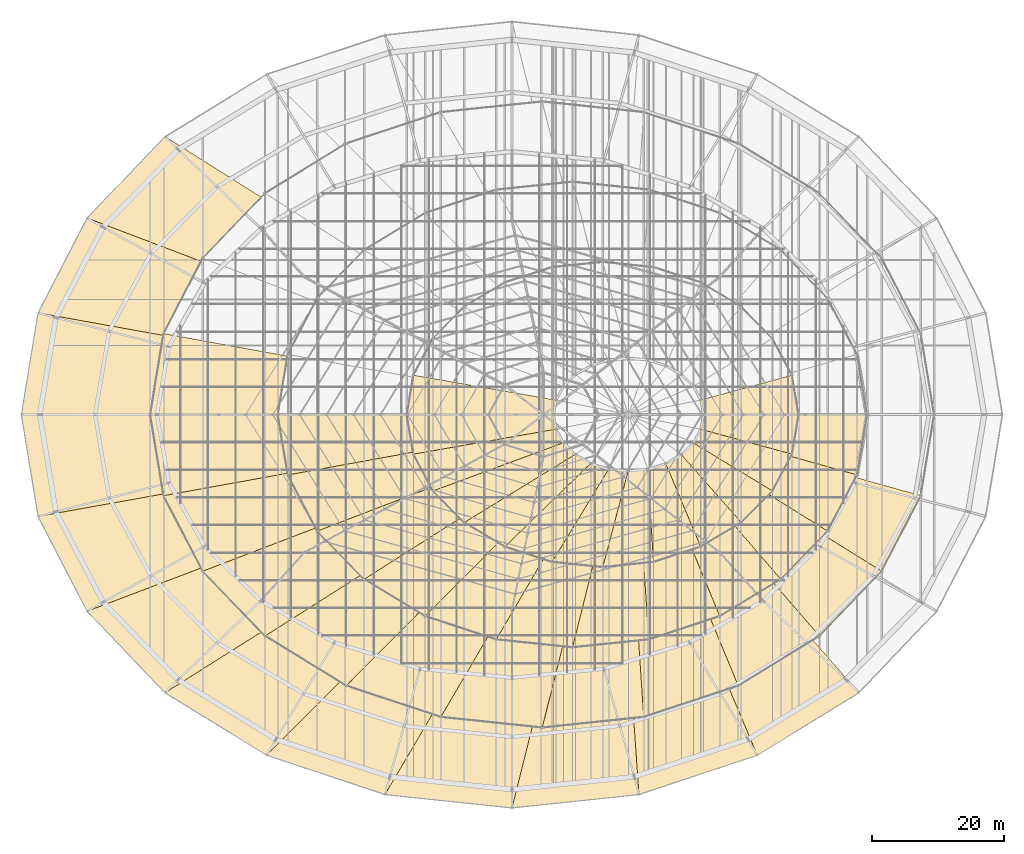
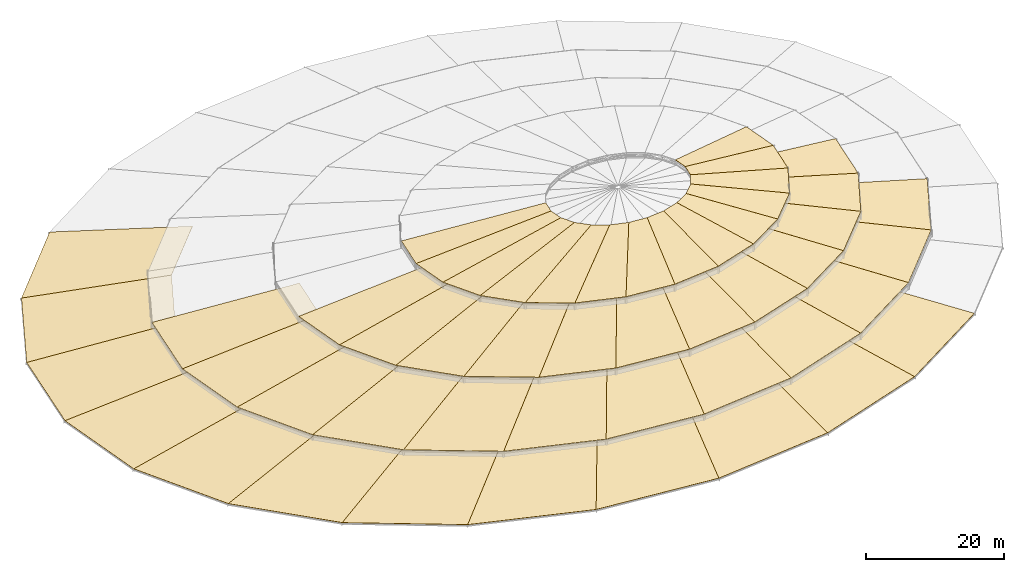
# One storey, part 183 of 184: 50 coverings.
"""IFC4 building model written with IfcOpenShell, lengths in metres."""

from ifc_helpers import new_model, si_unit, direction, frame, origin, place, context, subcontext, project, spatial, polyline, outline, extrude, material, layer, layer_set, type_object, element, save


model = new_model("IFC4")

# Units and contexts
model_context = context("Model", 3, precision=1e-05, world=origin(), true_north=direction((0.0, 1.0)))
body_context = subcontext(model_context, "Body", "Model", "MODEL_VIEW")
ifc_project = project(units=[si_unit("LENGTHUNIT", "METRE"), si_unit("AREAUNIT", "SQUARE_METRE"), si_unit("VOLUMEUNIT", "CUBIC_METRE"), si_unit("PLANEANGLEUNIT", "RADIAN"), si_unit("MASSUNIT", "GRAM", prefix="KILO")], contexts=[model_context])

# Site, building, storey
site_placement = place(None, origin())
site = spatial("IfcSite", under=ifc_project, at=site_placement, CompositionType="ELEMENT")
building_placement = place(site_placement, origin())
building = spatial("IfcBuilding", under=site, at=building_placement, Name="Kalgoora Escarpment Arena", CompositionType="ELEMENT")
storey_placement = place(building_placement, frame((0.0, 0.0, 27.60009765625)))
storey = spatial("IfcBuildingStorey", under=building, at=storey_placement, Name="Roof Level", CompositionType="ELEMENT", Elevation=27.60009765625)

# Coverings
ifc_material_1 = material(Name="Smooth white PTFE acoustic roofing membrane")
ifc_layer_1 = layer(ifc_material_1, 0.050048828125)
ifc_layer_set_1 = layer_set([ifc_layer_1], Name="COV-PETAL-RP1")
covering_type_1 = type_object("IfcCoveringType", Name="COV-PETAL-RP1", PredefinedType="ROOFING", material=ifc_layer_set_1)
covering_1_placement = place(storey_placement, frame((39.64990234375, 106.284912109375, -0.7900390625), z_axis=(-0.056868317698, 0.05444416312, 0.996896096664), x_axis=(-0.691495131518, -0.722381120364, 5.287136e-06)))
element("IfcCovering", 1, at=covering_1_placement, inside=storey, type_object=covering_type_1, Name="Smooth white acoustic roofing petal RP1 sector 10", PredefinedType="ROOFING", context=body_context, shape_type="SweptSolid", body=[
    extrude(outline(polyline([(0.0, 0.0), (17.144696152705222, 0.0), (8.577318634078528, 20.292669779376954), (-4.123288299063617, 20.322583503506664), (0.0, 0.0)])), origin(), (0.0, 0.0, -1.0), 0.050048828125),
])
covering_2_placement = place(storey_placement, frame((27.79443359375, 93.89990234375, -0.7900390625), z_axis=(-0.064944382275, 0.033558498038, 0.997324447921), x_axis=(-0.459066518425, -0.888401897601, -3.59086e-07)))
element("IfcCovering", 2, at=covering_2_placement, inside=storey, type_object=covering_type_1, Name="Smooth white acoustic roofing petal RP1 sector 11", PredefinedType="ROOFING", context=body_context, shape_type="SweptSolid", body=[
    extrude(outline(polyline([(0.0, 0.0), (16.234327793510595, -8.881784197001252e-16), (9.512625873031725, 21.86180256488149), (-2.49887481885185, 21.8850418036554), (0.0, 0.0)])), origin(), (0.0, 0.0, -1.0), 0.050048828125),
])
covering_3_placement = place(storey_placement, frame((20.341796875, 79.477294921875, -0.7900390625), z_axis=(-0.06903409845, 0.011342112148, 0.997549823188), x_axis=(-0.162053927376, -0.986781903258, 4.95638e-06)))
element("IfcCovering", 3, at=covering_3_placement, inside=storey, type_object=covering_type_1, Name="Smooth white acoustic roofing petal RP1 sector 12", PredefinedType="ROOFING", context=body_context, shape_type="SweptSolid", body=[
    extrude(outline(polyline([(0.0, 0.0), (15.68461479368931, 4.440892098500626e-16), (11.93957861490944, 22.860412376957495), (0.3451839377810696, 22.869324464561274), (0.0, 0.0)])), origin(), (0.0, 0.0, -1.0), 0.050048828125),
])
covering_4_placement = place(storey_placement, frame((17.800048828125, 64.0, -0.7900390625), z_axis=(-0.069061103131, -0.011337508164, 0.997548006335), x_axis=(0.16205331153, -0.986782004399, 3.941093e-06)))
element("IfcCovering", 4, at=covering_4_placement, inside=storey, type_object=covering_type_1, Name="Smooth white acoustic roofing petal RP1 sector 13", PredefinedType="ROOFING", context=body_context, shape_type="SweptSolid", body=[
    extrude(outline(polyline([(0.0, 0.0), (15.684614793760499, 4.440892098500626e-16), (15.339430855838614, 22.86937571380954), (3.745036178905253, 22.86044654341589), (0.0, 0.0)])), origin(), (0.0, 0.0, -1.0), 0.050048828125),
])
covering_5_placement = place(storey_placement, frame((20.341796875, 48.522705078125, -0.7900390625), z_axis=(-0.065013404695, -0.033594236373, 0.997318747689), x_axis=(0.459066522569, -0.88840189546, 2.95135e-07)))
element("IfcCovering", 5, at=covering_5_placement, inside=storey, type_object=covering_type_1, Name="Smooth white acoustic roofing petal RP1 sector 14", PredefinedType="ROOFING", context=body_context, shape_type="SweptSolid", body=[
    extrude(outline(polyline([(0.0, 0.0), (16.23432779351093, 0.0), (18.733202612362046, 21.885166801231097), (6.72170192047941, 21.861927561735172), (0.0, 0.0)])), origin(), (0.0, 0.0, -1.0), 0.050048828125),
])
covering_6_placement = place(storey_placement, frame((27.79443359375, 34.10009765625, -0.7900390625), z_axis=(-0.056954060467, -0.054515105612, 0.996887324755), x_axis=(0.691494673876, -0.722381558453, 2.731018e-06)))
element("IfcCovering", 6, at=covering_6_placement, inside=storey, type_object=covering_type_1, Name="Smooth white acoustic roofing petal RP1 sector 15", PredefinedType="ROOFING", context=body_context, shape_type="SweptSolid", body=[
    extrude(outline(polyline([(0.0, 0.0), (17.144696152882005, 1.7763568394002505e-15), (21.26798445154953, 20.322775844149305), (8.567377518891924, 20.292842889911938), (0.0, 0.0)])), origin(), (0.0, 0.0, -1.0), 0.050048828125),
])
covering_7_placement = place(storey_placement, frame((39.64990234375, 21.715087890625, -0.7900390625), z_axis=(-0.045001230298, -0.073161552734, 0.996304309171), x_axis=(0.851766453535, -0.523921662686, -3.85442e-07)))
element("IfcCovering", 7, at=covering_7_placement, inside=storey, type_object=covering_type_1, Name="Smooth white acoustic roofing petal RP1 sector 16", PredefinedType="ROOFING", context=body_context, shape_type="SweptSolid", body=[
    extrude(outline(polyline([(0.0, 0.0), (18.139004611144134, 3.552713678800501e-15), (22.568190319534647, 18.654500548440648), (9.115012055353654, 18.62593519512974), (0.0, 0.0)])), origin(), (0.0, 0.0, -1.0), 0.050048828125),
])
covering_8_placement = place(storey_placement, frame((55.10009765625, 12.211669921875, -0.7900390625), z_axis=(-0.029393233862, -0.088514008437, 0.995641154289), x_axis=(0.949049609785, -0.315126701759, 2.520576e-06)))
element("IfcCovering", 8, at=covering_8_placement, inside=storey, type_object=covering_type_1, Name="Smooth white acoustic roofing petal RP1 sector 17", PredefinedType="ROOFING", context=body_context, shape_type="SweptSolid", body=[
    extrude(outline(polyline([(0.0, 0.0), (18.957851900662256, 8.881784197001252e-16), (22.63632252715822, 17.173849234063745), (8.564308710638475, 17.15380060839585), (0.0, 0.0)])), origin(), (0.0, 0.0, -1.0), 0.050048828125),
])
covering_9_placement = place(storey_placement, frame((73.092041015625, 6.237548828125, -0.7900390625), z_axis=(-0.010496399802, -0.099454831205, 0.994986714555), x_axis=(0.994477573334, -0.104949302689, 7.22642e-07)))
element("IfcCovering", 9, at=covering_9_placement, inside=storey, type_object=covering_type_1, Name="Smooth white acoustic roofing petal RP1 sector 18", PredefinedType="ROOFING", context=body_context, shape_type="SweptSolid", body=[
    extrude(outline(polyline([(0.0, 0.0), (19.41507953305012, -4.440892098500626e-16), (21.66642401765276, 16.00455223174719), (7.248920450771886, 15.99747301052071), (0.0, 0.0)])), origin(), (0.0, 0.0, -1.0), 0.050048828125),
])
covering_10_placement = place(storey_placement, frame((92.39990234375, 4.199951171875, -0.7900390625), z_axis=(0.011054503357, -0.104754748826, 0.994436644817), x_axis=(0.994477723167, 0.1049478829, 3.3364e-07)))
element("IfcCovering", 10, at=covering_10_placement, inside=storey, type_object=covering_type_1, Name="Smooth white acoustic roofing petal RP1 sector 19", PredefinedType="ROOFING", context=body_context, shape_type="SweptSolid", body=[
    extrude(outline(polyline([(0.0, 0.0), (19.41532232544921, -4.440892098500626e-16), (19.94326461671033, 15.181022661832014), (5.525761040560702, 15.188082992201075), (0.0, 0.0)])), origin(), (0.0, 0.0, -1.0), 0.050048828125),
])
covering_11_placement = place(storey_placement, frame((111.7080078125, 6.237548828125, -0.7900390625), z_axis=(0.034245708791, -0.1031344572, 0.994077720889), x_axis=(0.949049667726, 0.315126527271, -4.78041e-07)))
element("IfcCovering", 11, at=covering_11_placement, inside=storey, type_object=covering_type_1, Name="Smooth white acoustic roofing petal RP1 sector 20", PredefinedType="ROOFING", context=body_context, shape_type="SweptSolid", body=[
    extrude(outline(polyline([(0.0, 0.0), (18.95785190072081, -8.881784197001252e-16), (17.81517659683172, 14.701788861114963), (3.743162780472557, 14.72186290928512), (0.0, 0.0)])), origin(), (0.0, 0.0, -1.0), 0.050048828125),
])
covering_12_placement = place(storey_placement, frame((129.699951171875, 12.211669921875, -0.7900390625), z_axis=(0.057501525315, -0.093495143321, 0.993957862669), x_axis=(0.851766796349, 0.523921105319, 6.226449e-06)))
element("IfcCovering", 12, at=covering_12_placement, inside=storey, type_object=covering_type_1, Name="Smooth white acoustic roofing petal RP1 sector 21", PredefinedType="ROOFING", context=body_context, shape_type="SweptSolid", body=[
    extrude(outline(polyline([(0.0, 0.0), (18.13900461078959, 0.0), (15.684656362030365, 14.54803568318148), (2.231686047667405, 14.576518984896019), (0.0, 0.0)])), origin(), (0.0, 0.0, -1.0), 0.050048828125),
])
ifc_material_2 = material(Name="Smooth white PTFE acoustic roofing membrane")
ifc_layer_2 = layer(ifc_material_2, 0.054931640625)
ifc_layer_set_2 = layer_set([ifc_layer_2], Name="COV-PETAL-RP2")
covering_type_2 = type_object("IfcCoveringType", Name="COV-PETAL-RP2", PredefinedType="ROOFING", material=ifc_layer_set_2)
covering_13_placement = place(storey_placement, frame((39.430908203125, 76.31982421875, 1.5048828125), z_axis=(-0.069610065548, 0.01146531079, 0.997508388648), x_axis=(-0.162660447487, -0.986682106212, -1.0212859e-05)))
element("IfcCovering", 13, at=covering_13_placement, inside=storey, type_object=covering_type_2, Name="Smooth white acoustic roofing petal RP2 sector 12", PredefinedType="ROOFING", context=body_context, shape_type="SweptSolid", body=[
    extrude(outline(polyline([(0.0, 0.0), (12.486114430253002, 2.220446049250313e-16), (8.759521836013775, 22.661495844026597), (0.36258874815348624, 22.679236515076536), (0.0, 0.0)])), origin(), (0.0, 0.0, -1.0), 0.054931640625),
])
covering_14_placement = place(storey_placement, frame((37.39990234375, 64.0, 1.5048828125), z_axis=(-0.069667165931, -0.011486594871, 0.99750415745), x_axis=(0.162661262878, -0.986681971841, -1.470556e-06)))
element("IfcCovering", 14, at=covering_14_placement, inside=storey, type_object=covering_type_2, Name="Smooth white acoustic roofing petal RP2 sector 13", PredefinedType="ROOFING", context=body_context, shape_type="SweptSolid", body=[
    extrude(outline(polyline([(0.0, 0.0), (12.486114430893858, -4.440892098500626e-16), (12.12352568147727, 22.679322672875465), (3.726592595329668, 22.6615992272621), (0.0, 0.0)])), origin(), (0.0, 0.0, -1.0), 0.054931640625),
])
covering_15_placement = place(storey_placement, frame((39.430908203125, 51.68017578125, 1.5048828125), z_axis=(-0.0655127163, -0.033982203506, 0.997272928464), x_axis=(0.460402295867, -0.887710384046, -4.161281e-06)))
element("IfcCovering", 15, at=covering_15_placement, inside=storey, type_object=covering_type_2, Name="Smooth white acoustic roofing petal RP2 sector 14", PredefinedType="ROOFING", context=body_context, shape_type="SweptSolid", body=[
    extrude(outline(polyline([(0.0, 0.0), (12.932396626122799, 8.881784197001252e-16), (15.384069066058334, 21.72819058559488), (6.665459606649583, 21.68065699541003), (0.0, 0.0)])), origin(), (0.0, 0.0, -1.0), 0.054931640625),
])
covering_16_placement = place(storey_placement, frame((45.385009765625, 40.199951171875, 1.5048828125), z_axis=(-0.057256374928, -0.055008343982, 0.996842911206), x_axis=(0.692821279072, -0.721109336553, 1.408928e-06)))
element("IfcCovering", 16, at=covering_16_placement, inside=storey, type_object=covering_type_2, Name="Smooth white acoustic roofing petal RP2 sector 15", PredefinedType="ROOFING", context=body_context, shape_type="SweptSolid", body=[
    extrude(outline(polyline([(0.0, 0.0), (13.67081919488474, 1.7763568394002505e-15), (17.73340097950365, 20.213785007664526), (8.484274509712199, 20.15269461072085), (0.0, 0.0)])), origin(), (0.0, 0.0, -1.0), 0.054931640625),
])
covering_17_placement = place(storey_placement, frame((54.8564453125, 30.341796875, 1.5048828125), z_axis=(-0.045097780909, -0.073597049458, 0.996267867829), x_axis=(0.852622328254, -0.522527669445, -5.138953e-06)))
element("IfcCovering", 17, at=covering_17_placement, inside=storey, type_object=covering_type_2, Name="Smooth white acoustic roofing petal RP2 sector 16", PredefinedType="ROOFING", context=body_context, shape_type="SweptSolid", body=[
    extrude(outline(polyline([(0.0, 0.0), (14.477112336906238, -8.881784197001252e-16), (18.851548816103218, 18.59550812173897), (9.02482286847173, 18.53749167187338), (0.0, 0.0)])), origin(), (0.0, 0.0, -1.0), 0.054931640625),
])
covering_18_placement = place(storey_placement, frame((67.199951171875, 22.777099609375, 1.5048828125), z_axis=(-0.029360739868, -0.088770333932, 0.995619292083), x_axis=(0.949401748251, -0.314064197892, -4.465524e-06)))
element("IfcCovering", 18, at=covering_18_placement, inside=storey, type_object=covering_type_2, Name="Smooth white acoustic roofing petal RP2 sector 17", PredefinedType="ROOFING", context=body_context, shape_type="SweptSolid", body=[
    extrude(outline(polyline([(0.0, 0.0), (15.140601688447042, 8.881784197001252e-16), (18.78890427232576, 17.15343253171728), (8.48860826223605, 17.113050481779105), (0.0, 0.0)])), origin(), (0.0, 0.0, -1.0), 0.054931640625),
])
covering_19_placement = place(storey_placement, frame((81.574462890625, 18.02197265625, 1.5048828125), z_axis=(-0.010465572462, -0.09952521055, 0.994980001939), x_axis=(0.994516659329, -0.104578268858, 1.1996e-08)))
element("IfcCovering", 19, at=covering_19_placement, inside=storey, type_object=covering_type_2, Name="Smooth white acoustic roofing petal RP2 sector 18", PredefinedType="ROOFING", context=body_context, shape_type="SweptSolid", body=[
    extrude(outline(polyline([(0.0, 0.0), (15.510586939616408, 0.0), (17.76762848121268, 16.003787848771584), (7.203166058613584, 15.989153361703075), (0.0, 0.0)])), origin(), (0.0, 0.0, -1.0), 0.054931640625),
])
covering_20_placement = place(storey_placement, frame((97.0, 16.39990234375, 1.5048828125), z_axis=(0.011013194879, -0.104762376976, 0.994436299573), x_axis=(0.994516693183, 0.104577946863, 3.045082e-06)))
element("IfcCovering", 20, at=covering_20_placement, inside=storey, type_object=covering_type_2, Name="Smooth white acoustic roofing petal RP2 sector 19", PredefinedType="ROOFING", context=body_context, shape_type="SweptSolid", body=[
    extrude(outline(polyline([(0.0, 0.0), (15.510586939543689, -4.440892098500626e-16), (16.084609142554275, 15.175515863166806), (5.519903917841403, 15.19017553659779), (0.0, 0.0)])), origin(), (0.0, 0.0, -1.0), 0.054931640625),
])
covering_21_placement = place(storey_placement, frame((112.425537109375, 18.02197265625, 1.5048828125), z_axis=(0.034163556959, -0.103275505798, 0.994065903891), x_axis=(0.949401624883, 0.31406457086, 2.42358e-07)))
element("IfcCovering", 21, at=covering_21_placement, inside=storey, type_object=covering_type_2, Name="Smooth white acoustic roofing petal RP2 sector 20", PredefinedType="ROOFING", context=body_context, shape_type="SweptSolid", body=[
    extrude(outline(polyline([(0.0, 0.0), (15.140601688598881, 0.0), (14.076378968094595, 14.66912216039115), (3.776082958411862, 14.70957736770657), (0.0, 0.0)])), origin(), (0.0, 0.0, -1.0), 0.054931640625),
])
covering_22_placement = place(storey_placement, frame((126.800048828125, 22.777099609375, 1.5048828125), z_axis=(0.057552905475, -0.093894841276, 0.993917210764), x_axis=(0.852621624253, 0.522528818144, -8.140824e-06)))
element("IfcCovering", 22, at=covering_22_placement, inside=storey, type_object=covering_type_2, Name="Smooth white acoustic roofing petal RP2 sector 21", PredefinedType="ROOFING", context=body_context, shape_type="SweptSolid", body=[
    extrude(outline(polyline([(0.0, 0.0), (14.477112336613226, 0.0), (12.119644381534645, 14.470235844492011), (2.2931265928095566, 14.52829409865525), (0.0, 0.0)])), origin(), (0.0, 0.0, -1.0), 0.054931640625),
])
covering_23_placement = place(storey_placement, frame((139.1435546875, 30.341796875, 1.5048828125), z_axis=(0.079036452104, -0.075929851064, 0.993975803003), x_axis=(0.692821010376, 0.721109594695, -4.396965e-06)))
element("IfcCovering", 23, at=covering_23_placement, inside=storey, type_object=covering_type_2, Name="Smooth white acoustic roofing petal RP2 sector 22", PredefinedType="ROOFING", context=body_context, shape_type="SweptSolid", body=[
    extrude(outline(polyline([(0.0, 0.0), (13.670819194764636, 0.0), (10.604455081278461, 14.537519387207677), (1.355159465325703, 14.598971709475283), (0.0, 0.0)])), origin(), (0.0, 0.0, -1.0), 0.054931640625),
])
covering_24_placement = place(storey_placement, frame((148.614990234375, 40.199951171875, 1.5048828125), z_axis=(0.095886365476, -0.049731743178, 0.994149163172), x_axis=(0.460402129442, 0.88771047037, 1.108767e-06)))
element("IfcCovering", 24, at=covering_24_placement, inside=storey, type_object=covering_type_2, Name="Smooth white acoustic roofing petal RP2 sector 23", PredefinedType="ROOFING", context=body_context, shape_type="SweptSolid", body=[
    extrude(outline(polyline([(0.0, 0.0), (12.932396626227339, 0.0), (9.867312308174776, 14.765967824812508), (1.1487028490455853, 14.813654855674914), (0.0, 0.0)])), origin(), (0.0, 0.0, -1.0), 0.054931640625),
])
ifc_material_3 = material(Name="Smooth white PTFE acoustic roofing membrane")
ifc_layer_3 = layer(ifc_material_3, 0.06005859375)
ifc_layer_set_3 = layer_set([ifc_layer_3], Name="COV-PETAL-RP3")
covering_type_3 = type_object("IfcCoveringType", Name="COV-PETAL-RP3", PredefinedType="ROOFING", material=ifc_layer_set_3)
covering_25_placement = place(storey_placement, frame((56.800048828125, 64.0, 3.9599609375), z_axis=(-0.069662964554, -0.011593170717, 0.997503217921), x_axis=(0.164329939024, -0.98640542932, 1.2174577e-05)))
element("IfcCovering", 25, at=covering_25_placement, inside=storey, type_object=covering_type_3, Name="Smooth white acoustic roofing petal RP3 sector 13", PredefinedType="ROOFING", context=body_context, shape_type="SweptSolid", body=[
    extrude(outline(polyline([(0.0, 0.0), (9.288382258374593, 2.220446049250313e-16), (8.964120873360118, 22.680177170080757), (3.7648039375079074, 22.655018327735213), (0.0, 0.0)])), origin(), (0.0, 0.0, -1.0), 0.06005859375),
])
covering_26_placement = place(storey_placement, frame((58.326416015625, 54.837890625, 3.9599609375), z_axis=(-0.065445002026, -0.034305172052, 0.997266316929), x_axis=(0.464282276802, -0.885687285359, 1.3034e-06)))
element("IfcCovering", 26, at=covering_26_placement, inside=storey, type_object=covering_type_3, Name="Smooth white acoustic roofing petal RP3 sector 14", PredefinedType="ROOFING", context=body_context, shape_type="SweptSolid", body=[
    extrude(outline(polyline([(0.0, 0.0), (9.639793152980761, 8.881784197001252e-16), (12.186268505072142, 21.71737423087337), (6.760128045140399, 21.65155877750076), (0.0, 0.0)])), origin(), (0.0, 0.0, -1.0), 0.06005859375),
])
covering_27_placement = place(storey_placement, frame((62.802001953125, 46.300048828125, 3.9599609375), z_axis=(-0.057084883239, -0.055427032836, 0.996829554205), x_axis=(0.696662444274, -0.717399079109, 5.60976e-06)))
element("IfcCovering", 27, at=covering_27_placement, inside=storey, type_object=covering_type_3, Name="Smooth white acoustic roofing petal RP3 sector 15", PredefinedType="ROOFING", context=body_context, shape_type="SweptSolid", body=[
    extrude(outline(polyline([(0.0, 0.0), (10.219620250382619, 8.881784197001252e-16), (14.389760650529281, 20.192005666269143), (8.591444835585934, 20.107220305780707), (0.0, 0.0)])), origin(), (0.0, 0.0, -1.0), 0.06005859375),
])
covering_28_placement = place(storey_placement, frame((69.921630859375, 38.968505859375, 3.9599609375), z_axis=(-0.044857326196, -0.073965623884, 0.996251427487), x_axis=(0.85509499155, -0.518471364068, 8.247973e-06)))
element("IfcCovering", 28, at=covering_28_placement, inside=storey, type_object=covering_type_3, Name="Smooth white acoustic roofing petal RP3 sector 16", PredefinedType="ROOFING", context=body_context, shape_type="SweptSolid", body=[
    extrude(outline(polyline([(0.0, 0.0), (10.850626391864012, -1.7763568394002505e-15), (15.313043899320121, 18.574760296501772), (9.112476697330745, 18.494540072467252), (0.0, 0.0)])), origin(), (0.0, 0.0, -1.0), 0.06005859375),
])
covering_29_placement = place(storey_placement, frame((79.199951171875, 33.3427734375, 3.9599609375), z_axis=(-0.029134193931, -0.088986713108, 0.995606630971), x_axis=(0.950384918079, -0.31107636914, 7.065941e-06)))
element("IfcCovering", 29, at=covering_29_placement, inside=storey, type_object=covering_type_3, Name="Smooth white acoustic roofing petal RP3 sector 17", PredefinedType="ROOFING", context=body_context, shape_type="SweptSolid", body=[
    extrude(outline(polyline([(0.0, 0.0), (11.369003320996361, 4.440892098500626e-16), (15.071180993548209, 17.142362978020877), (8.54217676861851, 17.086351331847254), (0.0, 0.0)])), origin(), (0.0, 0.0, -1.0), 0.06005859375),
])
covering_30_placement = place(storey_placement, frame((90.0048828125, 29.80615234375, 3.9599609375), z_axis=(-0.010368943249, -0.099572789613, 0.994976253277), x_axis=(0.994634009019, -0.10345621277, 1.1939867e-05)))
element("IfcCovering", 30, at=covering_30_placement, inside=storey, type_object=covering_type_3, Name="Smooth white acoustic roofing petal RP3 sector 18", PredefinedType="ROOFING", context=body_context, shape_type="SweptSolid", body=[
    extrude(outline(polyline([(0.0, 0.0), (11.657768875835139, 0.0), (13.932817795881654, 16.001048762800618), (7.221346150318373, 15.98129134264495), (0.0, 0.0)])), origin(), (0.0, 0.0, -1.0), 0.06005859375),
])
covering_31_placement = place(storey_placement, frame((101.60009765625, 28.60009765625, 3.9599609375), z_axis=(0.010885467477, -0.104719157554, 0.994442258072), x_axis=(0.994633984281, 0.103456451062, 6.854607e-06)))
element("IfcCovering", 31, at=covering_31_placement, inside=storey, type_object=covering_type_3, Name="Smooth white acoustic roofing petal RP3 sector 19", PredefinedType="ROOFING", context=body_context, shape_type="SweptSolid", body=[
    extrude(outline(polyline([(0.0, 0.0), (11.657526045825975, 2.220446049250313e-16), (12.21431950926675, 15.176339235826672), (5.502847907712107, 15.196086291594433), (0.0, 0.0)])), origin(), (0.0, 0.0, -1.0), 0.06005859375),
])
covering_32_placement = place(storey_placement, frame((113.195068359375, 29.80615234375, 3.9599609375), z_axis=(0.033806190232, -0.103281698009, 0.994077478046), x_axis=(0.950385108938, 0.311075786119, -4.67154e-07)))
element("IfcCovering", 32, at=covering_32_placement, inside=storey, type_object=covering_type_3, Name="Smooth white acoustic roofing petal RP3 sector 20", PredefinedType="ROOFING", context=body_context, shape_type="SweptSolid", body=[
    extrude(outline(polyline([(0.0, 0.0), (11.369003321281427, 0.0), (10.258903196166871, 14.665509308131348), (3.729898971971016, 14.721596069728255), (0.0, 0.0)])), origin(), (0.0, 0.0, -1.0), 0.06005859375),
])
covering_33_placement = place(storey_placement, frame((124.0, 33.3427734375, 3.9599609375), z_axis=(0.057050282666, -0.094097495375, 0.99392702278), x_axis=(0.855095554987, 0.518470434865, 3.346552e-06)))
element("IfcCovering", 33, at=covering_33_placement, inside=storey, type_object=covering_type_3, Name="Smooth white acoustic roofing petal RP3 sector 21", PredefinedType="ROOFING", context=body_context, shape_type="SweptSolid", body=[
    extrude(outline(polyline([(0.0, 0.0), (10.850626392174368, 0.0), (8.425053886139885, 14.458546014881561), (2.2244866849485754, 14.53893520003458), (0.0, 0.0)])), origin(), (0.0, 0.0, -1.0), 0.06005859375),
])
covering_34_placement = place(storey_placement, frame((133.2783203125, 38.968505859375, 3.9599609375), z_axis=(0.078580273001, -0.076312035435, 0.99398270304), x_axis=(0.696662939166, 0.717398598541, 2.196541e-06)))
element("IfcCovering", 34, at=covering_34_placement, inside=storey, type_object=covering_type_3, Name="Smooth white acoustic roofing petal RP3 sector 22", PredefinedType="ROOFING", context=body_context, shape_type="SweptSolid", body=[
    extrude(outline(polyline([(0.0, 0.0), (10.219620250519494, 0.0), (7.076125864541061, 14.52074211300808), (1.2778100499491176, 14.60575918947767), (0.0, 0.0)])), origin(), (0.0, 0.0, -1.0), 0.06005859375),
])
covering_35_placement = place(storey_placement, frame((140.39794921875, 46.300048828125, 3.9599609375), z_axis=(0.095621909367, -0.050129116541, 0.994154677162), x_axis=(0.464282663827, 0.885687082473, 3.134497e-06)))
element("IfcCovering", 35, at=covering_35_placement, inside=storey, type_object=covering_type_3, Name="Smooth white acoustic roofing petal RP3 sector 23", PredefinedType="ROOFING", context=body_context, shape_type="SweptSolid", body=[
    extrude(outline(polyline([(0.0, 0.0), (9.63979315294108, -4.440892098500626e-16), (6.51038491938979, 14.75247096153561), (1.0842444593563487, 14.818485790796126), (0.0, 0.0)])), origin(), (0.0, 0.0, -1.0), 0.06005859375),
])
covering_36_placement = place(storey_placement, frame((144.87353515625, 54.837890625, 3.9599609375), z_axis=(0.105239529215, -0.017532859389, 0.994292331426), x_axis=(0.164330832433, 0.986405280558, 4.07972e-07)))
element("IfcCovering", 36, at=covering_36_placement, inside=storey, type_object=covering_type_3, Name="Smooth white acoustic roofing petal RP3 sector 24", PredefinedType="ROOFING", context=body_context, shape_type="SweptSolid", body=[
    extrude(outline(polyline([(0.0, 0.0), (9.288382259065626, 0.0), (6.8086563259509365, 14.970146599697648), (1.6093393918676058, 14.995373490984298), (0.0, 0.0)])), origin(), (0.0, 0.0, -1.0), 0.06005859375),
])
ifc_material_4 = material(Name="Smooth white PTFE acoustic roofing membrane")
ifc_layer_4 = layer(ifc_material_4, 0.06494140625)
ifc_layer_set_4 = layer_set([ifc_layer_4], Name="COV-PETAL-RP4")
covering_type_4 = type_object("IfcCoveringType", Name="COV-PETAL-RP4", PredefinedType="ROOFING", material=ifc_layer_set_4)
covering_37_placement = place(storey_placement, frame((136.0, 64.0, 6.414794921875), z_axis=(0.094865633895, 0.016055055346, 0.995360611388), x_axis=(-0.166733635458, 0.986001974965, -1.3084966e-05)))
element("IfcCovering", 37, at=covering_37_placement, inside=storey, type_object=covering_type_4, Name="Smooth white acoustic roofing petal RP4 sector 01", PredefinedType="ROOFING", context=body_context, shape_type="SweptSolid", body=[
    extrude(outline(polyline([(0.0, 0.0), (6.0898837314806515, 0.0), (4.656552733662117, 14.565646224657685), (2.449289014457227, 14.551830538252426), (0.0, 0.0)])), origin(), (0.0, 0.0, -1.0), 0.06494140625),
])
covering_38_placement = place(storey_placement, frame((77.415283203125, 70.004638671875, 6.414794921875), z_axis=(-0.0620380762, 0.010477307369, 0.998018788967), x_axis=(-0.166731575123, -0.986002323367, -1.3082674e-05)))
element("IfcCovering", 38, at=covering_38_placement, inside=storey, type_object=covering_type_4, Name="Smooth white acoustic roofing petal RP4 sector 12", PredefinedType="ROOFING", context=body_context, shape_type="SweptSolid", body=[
    extrude(outline(polyline([(0.0, 0.0), (6.089883731483633, -1.1102230246251565e-16), (2.3367360423373897, 22.238977011901778), (0.1294723231395464, 22.252773272862), (0.0, 0.0)])), origin(), (0.0, 0.0, -1.0), 0.06494140625),
])
covering_39_placement = place(storey_placement, frame((76.39990234375, 64.0, 6.414794921875), z_axis=(-0.062081182477, -0.010484670508, 0.998016031167), x_axis=(0.166731579081, -0.986002322699, 1.3009924e-05)))
element("IfcCovering", 39, at=covering_39_placement, inside=storey, type_object=covering_type_4, Name="Smooth white acoustic roofing petal RP4 sector 13", PredefinedType="ROOFING", context=body_context, shape_type="SweptSolid", body=[
    extrude(outline(polyline([(0.0, 0.0), (6.089883731489435, 0.0), (5.960411408338411, 22.252834739606676), (3.7531476891542694, 22.239038473893924), (0.0, 0.0)])), origin(), (0.0, 0.0, -1.0), 0.06494140625),
])
covering_40_placement = place(storey_placement, frame((77.415283203125, 57.995361328125, 6.414794921875), z_axis=(-0.058422266368, -0.031078331742, 0.9978080858), x_axis=(0.469704058367, -0.882823933485, 4.49038e-06)))
element("IfcCovering", 40, at=covering_40_placement, inside=storey, type_object=covering_type_4, Name="Smooth white acoustic roofing petal RP4 sector 14", PredefinedType="ROOFING", context=body_context, shape_type="SweptSolid", body=[
    extrude(outline(polyline([(0.0, 0.0), (6.338137944156042, 4.440892098500626e-16), (9.207684846292631, 21.19476595770275), (6.893640230946954, 21.15845943795743), (0.0, 0.0)])), origin(), (0.0, 0.0, -1.0), 0.06494140625),
])
covering_41_placement = place(storey_placement, frame((80.392333984375, 52.39990234375, 6.414794921875), z_axis=(-0.051120776992, -0.050413935957, 0.997419220399), x_axis=(0.701986717926, -0.712190036101, -1.8243493e-05)))
element("IfcCovering", 41, at=covering_41_placement, inside=storey, type_object=covering_type_4, Name="Smooth white acoustic roofing petal RP4 sector 15", PredefinedType="ROOFING", context=body_context, shape_type="SweptSolid", body=[
    extrude(outline(polyline([(0.0, 0.0), (6.746347232620025, 4.440892098500626e-16), (11.270667299669155, 19.548362473220816), (8.78208060032969, 19.501810714060287), (0.0, 0.0)])), origin(), (0.0, 0.0, -1.0), 0.06494140625),
])
covering_42_placement = place(storey_placement, frame((85.128173828125, 47.59521484375, 6.414794921875), z_axis=(-0.040362463393, -0.067568802593, 0.996897852573), x_axis=(0.858480227949, -0.512846661504, -2.064462e-06)))
element("IfcCovering", 42, at=covering_42_placement, inside=storey, type_object=covering_type_4, Name="Smooth white acoustic roofing petal RP4 sector 16", PredefinedType="ROOFING", context=body_context, shape_type="SweptSolid", body=[
    extrude(outline(polyline([(0.0, 0.0), (7.189304307761856, 0.0), (11.956564909083843, 17.833264738608214), (9.28062102188949, 17.78957906176623), (0.0, 0.0)])), origin(), (0.0, 0.0, -1.0), 0.06494140625),
])
covering_43_placement = place(storey_placement, frame((91.300048828125, 43.908203125, 6.414794921875), z_axis=(-0.026325777473, -0.081694498707, 0.9963096719), x_axis=(0.951741659714, -0.306900330534, -1.6791476e-05)))
element("IfcCovering", 43, at=covering_43_placement, inside=storey, type_object=covering_type_4, Name="Smooth white acoustic roofing petal RP4 sector 17", PredefinedType="ROOFING", context=body_context, shape_type="SweptSolid", body=[
    extrude(outline(polyline([(0.0, 0.0), (7.551691298363111, 4.440892098500626e-16), (11.467203848436139, 16.343432170568583), (8.638862541987875, 16.31295729922988), (0.0, 0.0)])), origin(), (0.0, 0.0, -1.0), 0.06494140625),
])
covering_44_placement = place(storey_placement, frame((98.4873046875, 41.590576171875, 6.414794921875), z_axis=(-0.009404089671, -0.091783632487, 0.995734566993), x_axis=(0.99478818924, -0.101963025337, -3.474329e-06)))
element("IfcCovering", 44, at=covering_44_placement, inside=storey, type_object=covering_type_4, Name="Smooth white acoustic roofing petal RP4 sector 18", PredefinedType="ROOFING", context=body_context, shape_type="SweptSolid", body=[
    extrude(outline(polyline([(0.0, 0.0), (7.753054190022579, -1.1102230246251565e-16), (10.133768823996979, 15.1863791220169), (7.220776731507392, 15.175393057173954), (0.0, 0.0)])), origin(), (0.0, 0.0, -1.0), 0.06494140625),
])
covering_45_placement = place(storey_placement, frame((106.199951171875, 40.800048828125, 6.414794921875), z_axis=(0.009933091625, -0.096772231871, 0.995256986325), x_axis=(0.994788340719, 0.101961546495, -1.4345357e-05)))
element("IfcCovering", 45, at=covering_45_placement, inside=storey, type_object=covering_type_4, Name="Smooth white acoustic roofing petal RP4 sector 19", PredefinedType="ROOFING", context=body_context, shape_type="SweptSolid", body=[
    extrude(outline(polyline([(0.0, 0.0), (7.753297057506594, 1.1102230246251565e-16), (8.311542890137078, 14.381529753179922), (5.39879362901008, 14.392505158271693), (0.0, 0.0)])), origin(), (0.0, 0.0, -1.0), 0.06494140625),
])
covering_46_placement = place(storey_placement, frame((113.912841796875, 41.590576171875, 6.414794921875), z_axis=(0.030804482022, -0.09549416421, 0.994953239348), x_axis=(0.951740890246, 0.306902717033, -1.0519777e-05)))
element("IfcCovering", 46, at=covering_46_placement, inside=storey, type_object=covering_type_4, Name="Smooth white acoustic roofing petal RP4 sector 20", PredefinedType="ROOFING", context=body_context, shape_type="SweptSolid", body=[
    extrude(outline(polyline([(0.0, 0.0), (7.55169129901352, 0.0), (6.355277766909127, 13.923101121410525), (3.526936462005277, 13.953643699285204), (0.0, 0.0)])), origin(), (0.0, 0.0, -1.0), 0.06494140625),
])
covering_47_placement = place(storey_placement, frame((121.10009765625, 43.908203125, 6.414794921875), z_axis=(0.051887285268, -0.086861067227, 0.994868264962), x_axis=(0.858471418827, 0.512861407245, 3.958081e-06)))
element("IfcCovering", 47, at=covering_47_placement, inside=storey, type_object=covering_type_4, Name="Smooth white acoustic roofing petal RP4 sector 21", PredefinedType="ROOFING", context=body_context, shape_type="SweptSolid", body=[
    extrude(outline(polyline([(0.0, 0.0), (7.189094718931694, 0.0), (4.6220861297652585, 13.794733950339245), (1.9461430013847627, 13.838553218307952), (0.0, 0.0)])), origin(), (0.0, 0.0, -1.0), 0.06494140625),
])
covering_48_placement = place(storey_placement, frame((127.271728515625, 47.59521484375, 6.414794921875), z_axis=(0.071231620579, -0.070215474148, 0.994985348344), x_axis=(0.701986013631, 0.712190730532, 3.224624e-06)))
element("IfcCovering", 48, at=covering_48_placement, inside=storey, type_object=covering_type_4, Name="Smooth white acoustic roofing petal RP4 sector 22", PredefinedType="ROOFING", context=body_context, shape_type="SweptSolid", body=[
    extrude(outline(polyline([(0.0, 0.0), (6.746347233713088, -4.440892098500626e-16), (3.4538434412531784, 13.952067415715907), (0.9652567445030521, 13.998742227003227), (0.0, 0.0)])), origin(), (0.0, 0.0, -1.0), 0.06494140625),
])
covering_49_placement = place(storey_placement, frame((132.007568359375, 52.39990234375, 6.414794921875), z_axis=(0.086361082576, -0.045934965461, 0.995204372159), x_axis=(0.469703311471, 0.882824330803, -1.1637132e-05)))
element("IfcCovering", 49, at=covering_49_placement, inside=storey, type_object=covering_type_4, Name="Smooth white acoustic roofing petal RP4 sector 23", PredefinedType="ROOFING", context=body_context, shape_type="SweptSolid", body=[
    extrude(outline(polyline([(0.0, 0.0), (6.338137943786911, 0.0), (3.1176176145078744, 14.27680199191074), (0.8035729982891707, 14.313210853977155), (0.0, 0.0)])), origin(), (0.0, 0.0, -1.0), 0.06494140625),
])
covering_50_placement = place(storey_placement, frame((134.984619140625, 57.995361328125, 6.414794921875), z_axis=(0.094783743548, -0.016041066788, 0.995368638312), x_axis=(0.166733621208, 0.986001977377, 1.294674e-05)))
element("IfcCovering", 50, at=covering_50_placement, inside=storey, type_object=covering_type_4, Name="Smooth white acoustic roofing petal RP4 sector 24", PredefinedType="ROOFING", context=body_context, shape_type="SweptSolid", body=[
    extrude(outline(polyline([(0.0, 0.0), (6.089883731491719, -1.1102230246251565e-16), (3.6405947170168083, 14.551713135497222), (1.433330997838064, 14.565528830958028), (0.0, 0.0)])), origin(), (0.0, 0.0, -1.0), 0.06494140625),
])

save(model, "model.ifc")
